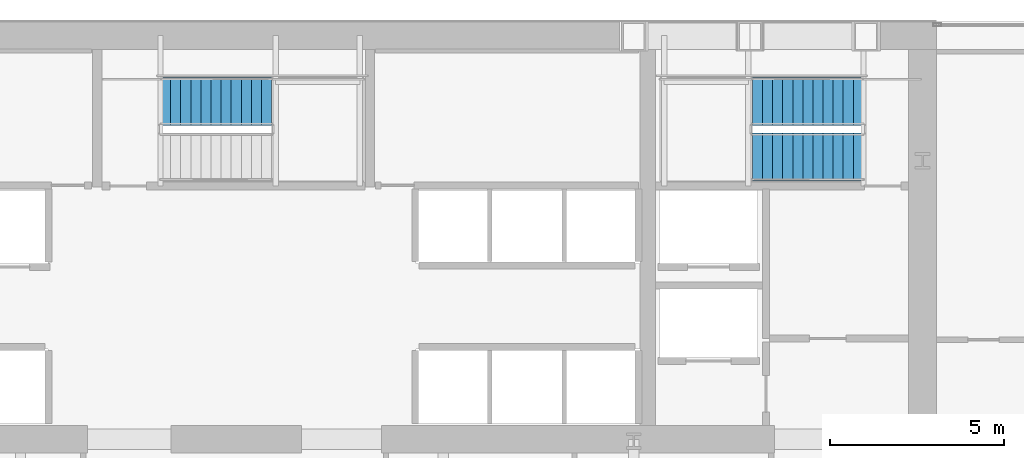
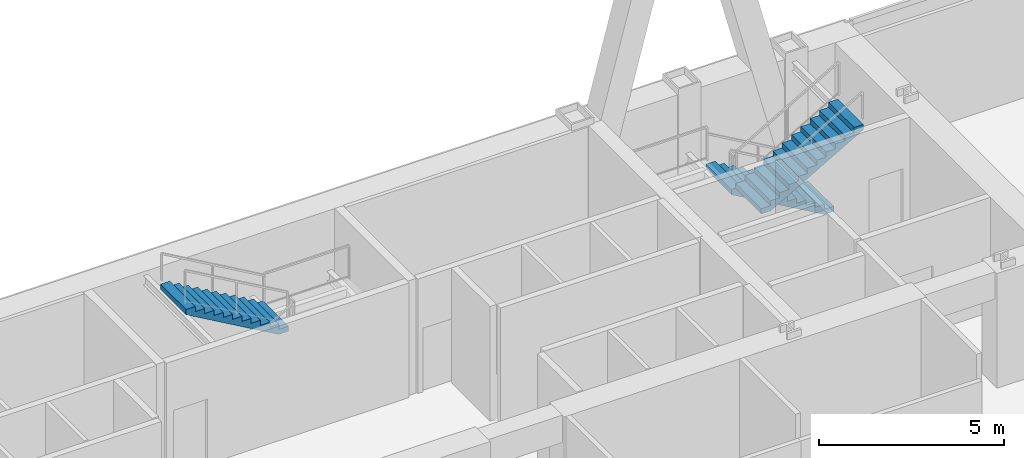
# One storey, part 30 of 32: 3 stair flights, 2 elements without a shape of their own.
"""IFC4 building model written with IfcOpenShell, lengths in metres."""

from ifc_helpers import new_model, si_unit, direction, frame, origin, place, context, subcontext, project, spatial, polyline, outline, extrude, material, type_object, element, aggregate, save


model = new_model("IFC4")

# Units and contexts
model_context = context("Model", 3, precision=1e-05, world=origin(), true_north=direction((0.0, 1.0)))
body_context = subcontext(model_context, "Body", "Model", "MODEL_VIEW")
ifc_project = project(units=[si_unit("LENGTHUNIT", "METRE"), si_unit("AREAUNIT", "SQUARE_METRE"), si_unit("VOLUMEUNIT", "CUBIC_METRE"), si_unit("PLANEANGLEUNIT", "RADIAN"), si_unit("MASSUNIT", "GRAM", prefix="KILO")], contexts=[model_context])

# Site, building, storey
site_placement = place(None, origin())
site = spatial("IfcSite", under=ifc_project, at=site_placement, CompositionType="ELEMENT")
building_placement = place(site_placement, origin())
building = spatial("IfcBuilding", under=site, at=building_placement, Name="Khoronbel Lancet Exchange", CompositionType="ELEMENT")
storey_placement = place(building_placement, frame((0.0, 0.0, 81.800048828125)))
storey = spatial("IfcBuildingStorey", under=building, at=storey_placement, Name="L19", CompositionType="ELEMENT", Elevation=81.800048828125)

# Stair, stair flights
ifc_material = material(Name="Concrete C40/50", Category="concrete")
stair_type = type_object("IfcStairType", Name="STR-CORE150", PredefinedType="HALF_TURN_STAIR", material=ifc_material)
stair_1_placement = place(storey_placement, origin())
stair_1 = element("IfcStair", 1, at=stair_1_placement, inside=storey, type_object=stair_type, Name="L19 Protected Exit Stair ST2", PredefinedType="HALF_TURN_STAIR")
stair_flight_type = type_object("IfcStairFlightType", Name="STF-150", PredefinedType="STRAIGHT", material=ifc_material)
stair_flight_1_placement = place(storey_placement, frame((54.60009765625, 51.409912109375, 0.0), z_axis=(0.0, 0.0, 1.0), x_axis=(-1.0, 0.0, 0.0)))
stair_flight_1 = element("IfcStairFlight", 2, at=stair_flight_1_placement, type_object=stair_flight_type, Name="ST2 flight 1", NumberOfRisers=12, NumberOfTreads=11, PredefinedType="STRAIGHT", RiserHeight=0.166666667, TreadLength=0.29, context=body_context, shape_type="SweptSolid", body=[
    extrude(outline(polyline([(0.0, 0.0), (0.0, 0.166748046875), (0.2900390625, 0.166748046875), (0.2900390625, 0.333251953125), (0.580078125, 0.333251953125), (0.580078125, 0.5), (0.8701171875, 0.5), (0.8701171875, 0.666748046875), (1.159912109375, 0.666748046875), (1.159912109375, 0.833251953125), (1.449951171875, 0.833251953125), (1.449951171875, 1.0), (1.739990234375, 1.0), (1.739990234375, 1.166748046875), (2.030029296875, 1.166748046875), (2.030029296875, 1.333251953125), (2.320068359375, 1.333251953125), (2.320068359375, 1.5), (2.610107421875, 1.5), (2.610107421875, 1.666748046875), (2.89990234375, 1.666748046875), (2.89990234375, 1.833251953125), (3.18994140625, 1.833251953125), (3.18994140625, 2.0), (3.18994140625, 1.660400390625), (0.30078125, 0.0), (0.0, 0.0)])), frame((0.0, 0.68994140625, 0.0), z_axis=(0.0, -1.0, 0.0), x_axis=(1.0, 0.0, 0.0)), (0.0, 0.0, 1.0), 1.3798828125),
])
stair_flight_2_placement = place(storey_placement, frame((51.409912109375, 49.81005859375, 2.0), z_axis=(0.0, 0.0, 1.0), x_axis=(1.0, 0.0, 0.0)))
stair_flight_2 = element("IfcStairFlight", 3, at=stair_flight_2_placement, type_object=stair_flight_type, Name="ST2 flight 2", NumberOfRisers=12, NumberOfTreads=11, PredefinedType="STRAIGHT", RiserHeight=0.166666667, TreadLength=0.29, context=body_context, shape_type="SweptSolid", body=[
    extrude(outline(polyline([(0.0, 0.0), (0.0, 0.166748046875), (0.2900390625, 0.166748046875), (0.2900390625, 0.333251953125), (0.580078125, 0.333251953125), (0.580078125, 0.5), (0.8701171875, 0.5), (0.8701171875, 0.666748046875), (1.159912109375, 0.666748046875), (1.159912109375, 0.833251953125), (1.449951171875, 0.833251953125), (1.449951171875, 1.0), (1.739990234375, 1.0), (1.739990234375, 1.166748046875), (2.030029296875, 1.166748046875), (2.030029296875, 1.333251953125), (2.320068359375, 1.333251953125), (2.320068359375, 1.5), (2.610107421875, 1.5), (2.610107421875, 1.666748046875), (2.89990234375, 1.666748046875), (2.89990234375, 1.833251953125), (3.18994140625, 1.833251953125), (3.18994140625, 2.0), (3.18994140625, 1.660400390625), (0.30078125, 0.0), (0.0, 0.0)])), frame((0.0, 0.68994140625, 0.0), z_axis=(0.0, -1.0, 0.0), x_axis=(1.0, 0.0, 0.0)), (0.0, 0.0, 1.0), 1.3798828125),
])
aggregate(stair_1, [stair_flight_1, stair_flight_2])

# Stair, stair flight
stair_2_placement = place(storey_placement, origin())
stair_2 = element("IfcStair", 4, at=stair_2_placement, inside=storey, type_object=stair_type, Name="L19 Protected Exit Stair ST3", PredefinedType="HALF_TURN_STAIR")
stair_flight_3_placement = place(storey_placement, frame((37.590087890625, 51.409912109375, 2.0), z_axis=(0.0, 0.0, 1.0), x_axis=(-1.0, 0.0, 0.0)))
stair_flight_3 = element("IfcStairFlight", 5, at=stair_flight_3_placement, type_object=stair_flight_type, Name="ST3 flight 2", NumberOfRisers=12, NumberOfTreads=11, PredefinedType="STRAIGHT", RiserHeight=0.166666667, TreadLength=0.29, context=body_context, shape_type="SweptSolid", body=[
    extrude(outline(polyline([(0.0, 0.0), (0.0, 0.166748046875), (0.2900390625, 0.166748046875), (0.2900390625, 0.333251953125), (0.580078125, 0.333251953125), (0.580078125, 0.5), (0.8701171875, 0.5), (0.8701171875, 0.666748046875), (1.159912109375, 0.666748046875), (1.159912109375, 0.833251953125), (1.449951171875, 0.833251953125), (1.449951171875, 1.0), (1.739990234375, 1.0), (1.739990234375, 1.166748046875), (2.030029296875, 1.166748046875), (2.030029296875, 1.333251953125), (2.320068359375, 1.333251953125), (2.320068359375, 1.5), (2.610107421875, 1.5), (2.610107421875, 1.666748046875), (2.89990234375, 1.666748046875), (2.89990234375, 1.833251953125), (3.18994140625, 1.833251953125), (3.18994140625, 2.0), (3.18994140625, 1.660400390625), (0.30078125, 0.0), (0.0, 0.0)])), frame((0.0, 0.68994140625, 0.0), z_axis=(0.0, -1.0, 0.0), x_axis=(1.0, 0.0, 0.0)), (0.0, 0.0, 1.0), 1.3798828125),
])
aggregate(stair_2, [stair_flight_3])

save(model, "model.ifc")
